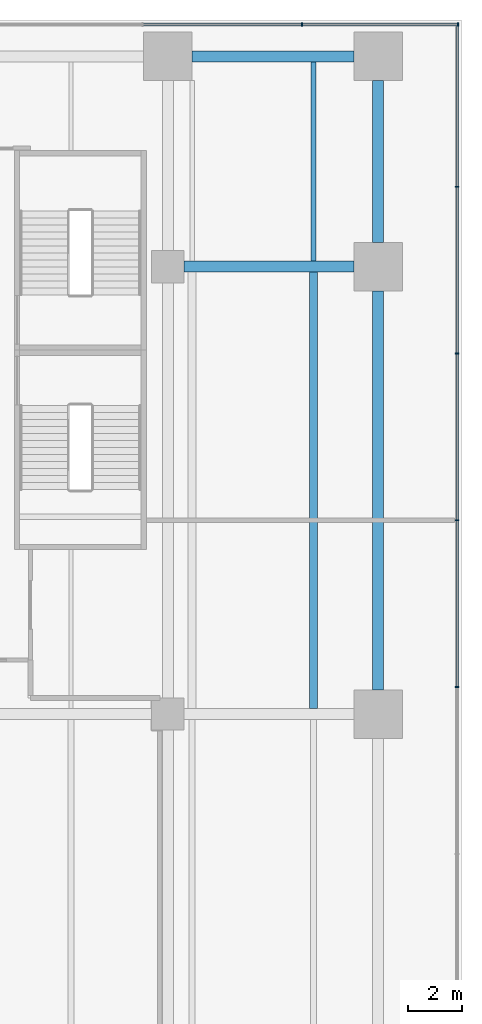
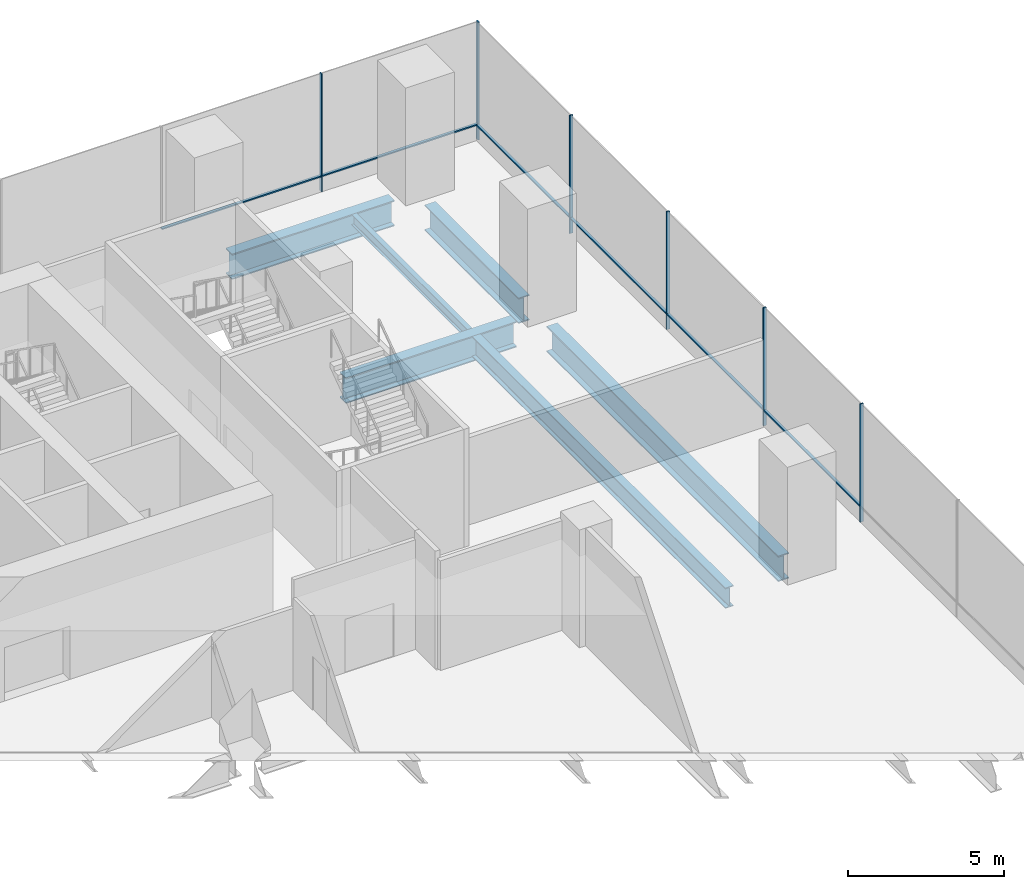
# One storey, part 16 of 28: 12 members, 6 beams, 2 elements without a shape of their own.
"""IFC4 building model written with IfcOpenShell, lengths in metres."""

from ifc_helpers import new_model, si_unit, direction, frame, origin, origin_2d, place, context, subcontext, project, spatial, rectangle, i_section, extrude, material, layer, layer_set, material_profile, profile_set, type_object, element, aggregate, save


model = new_model("IFC4")

# Units and contexts
model_context = context("Model", 3, precision=1e-05, world=origin(), true_north=direction((0.0, 1.0)))
body_context = subcontext(model_context, "Body", "Model", "MODEL_VIEW")
ifc_project = project(units=[si_unit("LENGTHUNIT", "METRE"), si_unit("AREAUNIT", "SQUARE_METRE"), si_unit("VOLUMEUNIT", "CUBIC_METRE"), si_unit("PLANEANGLEUNIT", "RADIAN"), si_unit("MASSUNIT", "GRAM", prefix="KILO")], contexts=[model_context])

# Site, building, storey
site_placement = place(None, origin())
site = spatial("IfcSite", under=ifc_project, at=site_placement, CompositionType="ELEMENT")
building_placement = place(site_placement, origin())
building = spatial("IfcBuilding", under=site, at=building_placement, Name="Rattan Terrace Tower", CompositionType="ELEMENT")
storey_placement = place(building_placement, frame((0.0, 0.0, 17.39990234375)))
storey = spatial("IfcBuildingStorey", under=building, at=storey_placement, Name="L03", CompositionType="ELEMENT", Elevation=17.39990234375)

# Beams
ifc_material_1 = material(Name="Steel S355", Category="steel")
ifc_material_profile_1 = material_profile(ifc_material_1, i_section(OverallWidth=0.300048828125, OverallDepth=0.800048828125, WebThickness=0.017578125, FlangeThickness=0.032958984375, FilletRadius=0.030029296875, at=origin_2d()), Name="HE 800 B")
ifc_profile_set_1 = profile_set([ifc_material_profile_1], Name="Steel S355")
beam_type_1 = type_object("IfcBeamType", Name="Frame floor beam HE 800 B", PredefinedType="JOIST", material=ifc_profile_set_1)
beam_1_placement = place(storey_placement, frame((31.5, -13.300048828125, -0.599853515625), z_axis=(0.0, 1.0, 0.0), x_axis=(-1.0, 0.0, 0.0)))
element("IfcBeam", 1, at=beam_1_placement, inside=storey, type_object=beam_type_1, Name="bm-L03-038", PredefinedType="JOIST", context=body_context, shape_type="SweptSolid", body=[
    extrude(i_section(OverallWidth=0.300048828125, OverallDepth=0.800048828125, WebThickness=0.017578125, FlangeThickness=0.032958984375, FilletRadius=0.030029296875, at=origin_2d()), origin(), (0.0, 0.0, 1.0), 16.199951171875),
])
ifc_material_2 = material(Name="Steel S355", Category="steel")
ifc_material_profile_2 = material_profile(ifc_material_2, i_section(OverallWidth=0.179931640625, OverallDepth=0.39990234375, WebThickness=0.008544921875, FlangeThickness=0.013427734375, FilletRadius=0.02099609375, at=origin_2d()), Name="IPE 400")
ifc_profile_set_2 = profile_set([ifc_material_profile_2], Name="Steel S355")
beam_type_2 = type_object("IfcBeamType", Name="Frame floor beam IPE 400", PredefinedType="JOIST", material=ifc_profile_set_2)
beam_2_placement = place(storey_placement, frame((31.5, 3.300048828125, -0.39990234375), z_axis=(0.0, 1.0, 0.0), x_axis=(-1.0, 0.0, 0.0)))
element("IfcBeam", 2, at=beam_2_placement, inside=storey, type_object=beam_type_2, Name="bm-L03-042", PredefinedType="JOIST", context=body_context, shape_type="SweptSolid", body=[
    extrude(i_section(OverallWidth=0.179931640625, OverallDepth=0.39990234375, WebThickness=0.008544921875, FlangeThickness=0.013427734375, FilletRadius=0.02099609375, at=origin_2d()), origin(), (0.0, 0.0, 1.0), 7.39990234375),
])
ifc_material_3 = material(Name="Steel S460", Category="steel")
ifc_material_profile_3 = material_profile(ifc_material_3, i_section(OverallWidth=0.39990234375, OverallDepth=1.0, WebThickness=0.01806640625, FlangeThickness=0.044921875, at=origin_2d()), Name="PG 1000x400-18-45")
ifc_profile_set_3 = profile_set([ifc_material_profile_3], Name="Steel S460")
beam_type_3 = type_object("IfcBeamType", Name="Frame podium girder PG 1000x400-18-45", PredefinedType="USERDEFINED", material=ifc_profile_set_3)
beam_3_placement = place(storey_placement, frame((33.89990234375, -12.60009765625, -0.699951171875), z_axis=(0.0, 1.0, 0.0), x_axis=(-1.0, 0.0, 0.0)))
element("IfcBeam", 3, at=beam_3_placement, inside=storey, type_object=beam_type_3, Name="gdr-L03-039", ObjectType="PODIUM GIRDER", PredefinedType="USERDEFINED", context=body_context, shape_type="SweptSolid", body=[
    extrude(i_section(OverallWidth=0.39990234375, OverallDepth=1.0, WebThickness=0.01806640625, FlangeThickness=0.044921875, at=origin_2d()), origin(), (0.0, 0.0, 1.0), 14.800048828125),
])
beam_4_placement = place(storey_placement, frame((26.699951171875, 3.10009765625, -0.699951171875), z_axis=(1.0, 0.0, 0.0), x_axis=(0.0, 1.0, 0.0)))
element("IfcBeam", 4, at=beam_4_placement, inside=storey, type_object=beam_type_3, Name="gdr-L03-041", ObjectType="PODIUM GIRDER", PredefinedType="USERDEFINED", context=body_context, shape_type="SweptSolid", body=[
    extrude(i_section(OverallWidth=0.39990234375, OverallDepth=1.0, WebThickness=0.01806640625, FlangeThickness=0.044921875, at=origin_2d()), origin(), (0.0, 0.0, 1.0), 6.300048828125),
])
for number, where, z_axis, x_axis, name in (
    (5, (33.89990234375, 4.0, -0.699951171875), (0.0, 1.0, 0.0), (-1.0, 0.0, 0.0), "gdr-L03-045"),
    (6, (27.0, 10.89990234375, -0.699951171875), (1.0, 0.0, 0.0), (0.0, 1.0, 0.0), "gdr-L03-051"),
):
    element("IfcBeam", number, at=place(storey_placement, frame(where, z_axis=z_axis, x_axis=x_axis)), inside=storey, type_object=beam_type_3, Name=name, ObjectType="PODIUM GIRDER", PredefinedType="USERDEFINED", context=body_context, shape_type="SweptSolid", body=[
        extrude(i_section(OverallWidth=0.39990234375, OverallDepth=1.0, WebThickness=0.01806640625, FlangeThickness=0.044921875, at=origin_2d()), origin(), (0.0, 0.0, 1.0), 6.0),
    ])

# Curtain wall, members
ifc_material_4 = material(Name="Aluminium and glass", Category="aluminium")
ifc_layer = layer(ifc_material_4, 0.1201171875)
ifc_layer_set = layer_set([ifc_layer], Name="Station Storefront Curtain Wall")
curtain_wall_type = type_object("IfcCurtainWallType", Name="Station Storefront Curtain Wall", PredefinedType="NOTDEFINED", material=ifc_layer_set)
curtain_wall_1_placement = place(storey_placement, origin())
curtain_wall_1 = element("IfcCurtainWall", 7, at=curtain_wall_1_placement, inside=storey, type_object=curtain_wall_type, Name="Storefront curtain wall L03-1", PredefinedType="NOTDEFINED")
ifc_material_5 = material(Name="Aluminium", Category="aluminium")
ifc_material_profile_4 = material_profile(ifc_material_5, rectangle(XDim=0.050048828125, YDim=0.1201171875, at=origin_2d()), Name="Aluminium 50x120")
ifc_profile_set_4 = profile_set([ifc_material_profile_4], Name="Aluminium")
member_type_1 = type_object("IfcMemberType", Name="Storefront CW Mullion 50x120", PredefinedType="MULLION", material=ifc_profile_set_4)
member_1_placement = place(storey_placement, frame((36.830078125, -12.498046875, 0.0), z_axis=(0.0, 0.0, 1.0), x_axis=(0.0, 1.0, 0.0)))
member_1 = element("IfcMember", 8, at=member_1_placement, type_object=member_type_1, Name="Mullion cwl-L03-001.5", PredefinedType="MULLION", context=body_context, shape_type="SweptSolid", body=[
    extrude(rectangle(XDim=0.050048828125, YDim=0.1201171875, at=origin_2d()), origin(), (0.0, 0.0, 1.0), 4.60009765625),
])
member_2_placement = place(storey_placement, frame((36.830078125, -6.31005859375, 0.0), z_axis=(0.0, 0.0, 1.0), x_axis=(0.0, 1.0, 0.0)))
member_2 = element("IfcMember", 9, at=member_2_placement, type_object=member_type_1, Name="Mullion cwl-L03-001.6", PredefinedType="MULLION", context=body_context, shape_type="SweptSolid", body=[
    extrude(rectangle(XDim=0.050048828125, YDim=0.1201171875, at=origin_2d()), origin(), (0.0, 0.0, 1.0), 4.60009765625),
])
member_3_placement = place(storey_placement, frame((36.830078125, -0.1220703125, 0.0), z_axis=(0.0, 0.0, 1.0), x_axis=(0.0, 1.0, 0.0)))
member_3 = element("IfcMember", 10, at=member_3_placement, type_object=member_type_1, Name="Mullion cwl-L03-001.7", PredefinedType="MULLION", context=body_context, shape_type="SweptSolid", body=[
    extrude(rectangle(XDim=0.050048828125, YDim=0.1201171875, at=origin_2d()), origin(), (0.0, 0.0, 1.0), 4.60009765625),
])
member_4_placement = place(storey_placement, frame((36.830078125, 6.06591796875, 0.0), z_axis=(0.0, 0.0, 1.0), x_axis=(0.0, 1.0, 0.0)))
member_4 = element("IfcMember", 11, at=member_4_placement, type_object=member_type_1, Name="Mullion cwl-L03-001.8", PredefinedType="MULLION", context=body_context, shape_type="SweptSolid", body=[
    extrude(rectangle(XDim=0.050048828125, YDim=0.1201171875, at=origin_2d()), origin(), (0.0, 0.0, 1.0), 4.60009765625),
])

curtain_wall_2_placement = place(storey_placement, origin())
curtain_wall_2 = element("IfcCurtainWall", 12, at=curtain_wall_2_placement, inside=storey, type_object=curtain_wall_type, Name="Storefront curtain wall L03-2", PredefinedType="NOTDEFINED")
member_5_placement = place(storey_placement, frame((36.864990234375, 12.080078125, 0.0), z_axis=(0.0, 0.0, 1.0), x_axis=(-1.0, 0.0, 0.0)))
member_5 = element("IfcMember", 13, at=member_5_placement, type_object=member_type_1, Name="Mullion cwl-L03-002.1", PredefinedType="MULLION", context=body_context, shape_type="SweptSolid", body=[
    extrude(rectangle(XDim=0.050048828125, YDim=0.1201171875, at=origin_2d()), origin(), (0.0, 0.0, 1.0), 4.60009765625),
])
member_6_placement = place(storey_placement, frame((31.080078125, 12.080078125, 0.0), z_axis=(0.0, 0.0, 1.0), x_axis=(-1.0, 0.0, 0.0)))
member_6 = element("IfcMember", 14, at=member_6_placement, type_object=member_type_1, Name="Mullion cwl-L03-002.2", PredefinedType="MULLION", context=body_context, shape_type="SweptSolid", body=[
    extrude(rectangle(XDim=0.050048828125, YDim=0.1201171875, at=origin_2d()), origin(), (0.0, 0.0, 1.0), 4.60009765625),
])

# Member
ifc_material_6 = material(Name="Aluminium", Category="aluminium")
ifc_material_profile_5 = material_profile(ifc_material_6, rectangle(XDim=0.10009765625, YDim=0.050048828125, at=origin_2d()), Name="Aluminium 100x50")
ifc_profile_set_5 = profile_set([ifc_material_profile_5], Name="Aluminium")
member_type_2 = type_object("IfcMemberType", Name="Storefront CW Transom 100x50", PredefinedType="USERDEFINED", material=ifc_profile_set_5)
member_7_placement = place(storey_placement, frame((36.830078125, -12.472900390625, 0.60009765625), z_axis=(0.0, 1.0, 0.0), x_axis=(-1.0, 0.0, 0.0)))
member_7 = element("IfcMember", 15, at=member_7_placement, type_object=member_type_2, Name="Transom cwl-L03-001.5", ObjectType="TRANSOM", PredefinedType="USERDEFINED", context=body_context, shape_type="SweptSolid", body=[
    extrude(rectangle(XDim=0.10009765625, YDim=0.050048828125, at=origin_2d()), origin(), (0.0, 0.0, 1.0), 6.137939453125),
])

member_8_placement = place(storey_placement, frame((36.830078125, -6.284912109375, 0.60009765625), z_axis=(0.0, 1.0, 0.0), x_axis=(-1.0, 0.0, 0.0)))
member_8 = element("IfcMember", 16, at=member_8_placement, type_object=member_type_2, Name="Transom cwl-L03-001.6", ObjectType="TRANSOM", PredefinedType="USERDEFINED", context=body_context, shape_type="SweptSolid", body=[
    extrude(rectangle(XDim=0.10009765625, YDim=0.050048828125, at=origin_2d()), origin(), (0.0, 0.0, 1.0), 6.137939453125),
])

member_9_placement = place(storey_placement, frame((36.830078125, -0.096923828125, 0.60009765625), z_axis=(0.0, 1.0, 0.0), x_axis=(-1.0, 0.0, 0.0)))
member_9 = element("IfcMember", 17, at=member_9_placement, type_object=member_type_2, Name="Transom cwl-L03-001.7", ObjectType="TRANSOM", PredefinedType="USERDEFINED", context=body_context, shape_type="SweptSolid", body=[
    extrude(rectangle(XDim=0.10009765625, YDim=0.050048828125, at=origin_2d()), origin(), (0.0, 0.0, 1.0), 6.137939453125),
])

member_10_placement = place(storey_placement, frame((36.830078125, 6.091064453125, 0.60009765625), z_axis=(0.0, 1.0, 0.0), x_axis=(-1.0, 0.0, 0.0)))
member_10 = element("IfcMember", 18, at=member_10_placement, type_object=member_type_2, Name="Transom cwl-L03-001.8", ObjectType="TRANSOM", PredefinedType="USERDEFINED", context=body_context, shape_type="SweptSolid", body=[
    extrude(rectangle(XDim=0.10009765625, YDim=0.050048828125, at=origin_2d()), origin(), (0.0, 0.0, 1.0), 5.928955078125),
])

aggregate(curtain_wall_1, [member_1, member_2, member_3, member_4, member_7, member_8, member_9, member_10])

member_11_placement = place(storey_placement, frame((36.840087890625, 12.080078125, 0.60009765625), z_axis=(-1.0, 0.0, 0.0), x_axis=(0.0, -1.0, 0.0)))
member_11 = element("IfcMember", 19, at=member_11_placement, type_object=member_type_2, Name="Transom cwl-L03-002.1", ObjectType="TRANSOM", PredefinedType="USERDEFINED", context=body_context, shape_type="SweptSolid", body=[
    extrude(rectangle(XDim=0.10009765625, YDim=0.050048828125, at=origin_2d()), origin(), (0.0, 0.0, 1.0), 5.735107421875),
])

member_12_placement = place(storey_placement, frame((31.054931640625, 12.080078125, 0.60009765625), z_axis=(-1.0, 0.0, 0.0), x_axis=(0.0, -1.0, 0.0)))
member_12 = element("IfcMember", 20, at=member_12_placement, type_object=member_type_2, Name="Transom cwl-L03-002.2", ObjectType="TRANSOM", PredefinedType="USERDEFINED", context=body_context, shape_type="SweptSolid", body=[
    extrude(rectangle(XDim=0.10009765625, YDim=0.050048828125, at=origin_2d()), origin(), (0.0, 0.0, 1.0), 5.869873046875),
])

aggregate(curtain_wall_2, [member_5, member_6, member_11, member_12])

save(model, "model.ifc")
